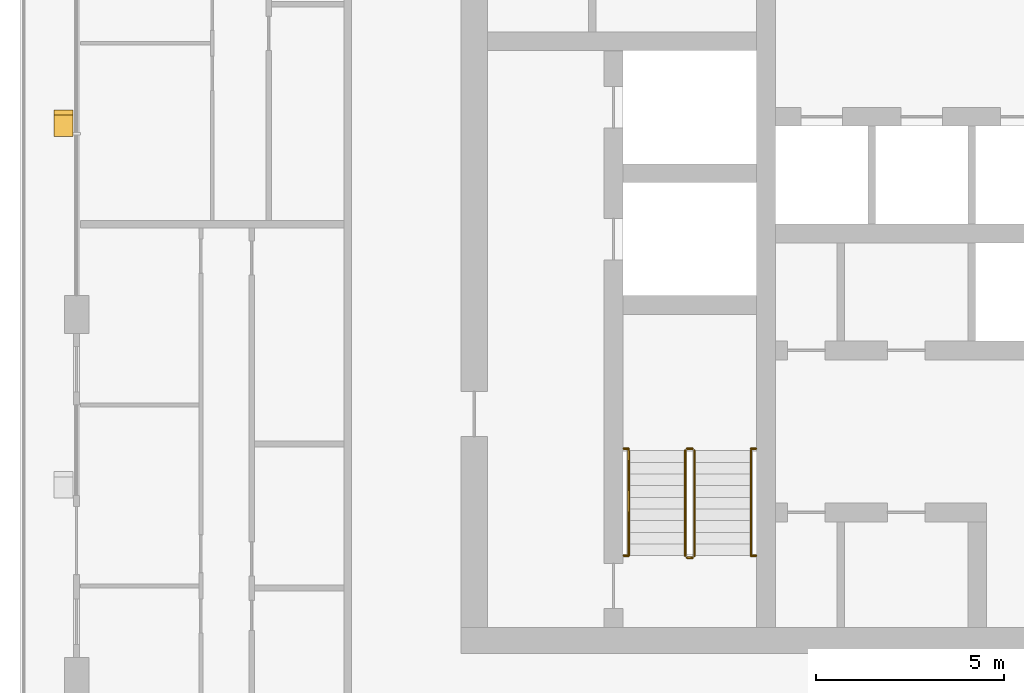
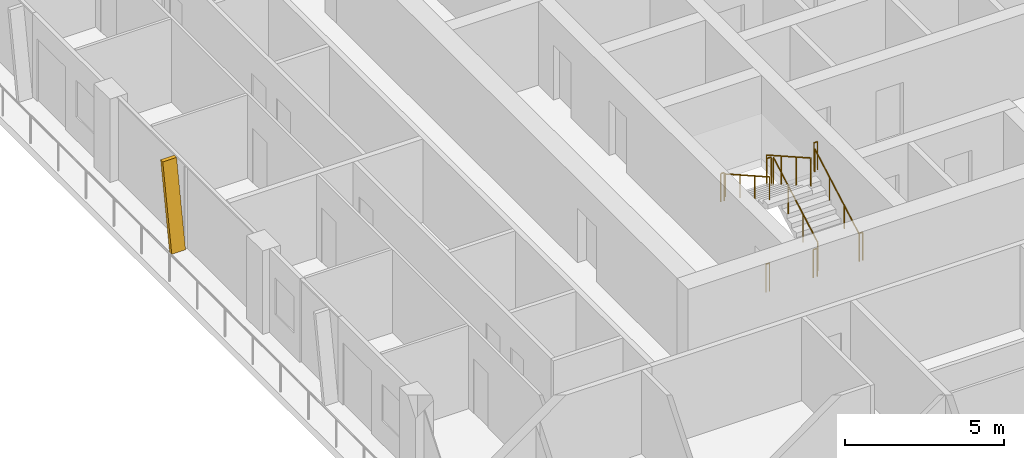
# One storey, part 18 of 22: 10 railings, 1 shading device.
"""IFC4 building model written with IfcOpenShell, lengths in metres."""

from ifc_helpers import new_model, si_unit, direction, frame, origin, origin_2d, place, context, subcontext, project, spatial, polyline, circle, outline, extrude, material, type_object, element, save


model = new_model("IFC4")

# Units and contexts
model_context = context("Model", 3, precision=1e-05, world=origin(), true_north=direction((0.0, 1.0)))
body_context = subcontext(model_context, "Body", "Model", "MODEL_VIEW")
ifc_project = project(units=[si_unit("LENGTHUNIT", "METRE"), si_unit("AREAUNIT", "SQUARE_METRE"), si_unit("VOLUMEUNIT", "CUBIC_METRE"), si_unit("PLANEANGLEUNIT", "RADIAN"), si_unit("MASSUNIT", "GRAM", prefix="KILO")], contexts=[model_context])

# Site, building, storey
site_placement = place(None, origin())
site = spatial("IfcSite", under=ifc_project, at=site_placement, CompositionType="ELEMENT")
building_placement = place(site_placement, origin())
building = spatial("IfcBuilding", under=site, at=building_placement, Name="Madar Terraces", CompositionType="ELEMENT")
storey_placement = place(building_placement, frame((0.0, 0.0, 189.39990234375)))
storey = spatial("IfcBuildingStorey", under=building, at=storey_placement, Name="L49", CompositionType="ELEMENT", Elevation=189.39990234375)

# Shading device
ifc_material_1 = material(Name="Aluminium, black anodised", Category="aluminium")
shading_device_type = type_object("IfcShadingDeviceType", Name="Facade fin blade 140 x 500", PredefinedType="USERDEFINED", material=ifc_material_1)
shading_device_placement = place(storey_placement, frame((4.449951171875, 28.8701171875, 0.0), z_axis=(0.0, 0.0, 1.0), x_axis=(0.0, -1.0, 0.0)))
element("IfcShadingDevice", 1, at=shading_device_placement, inside=storey, type_object=shading_device_type, Name="FIN L49 W2", ObjectType="FIN", PredefinedType="USERDEFINED", context=body_context, shape_type="SweptSolid", body=[
    extrude(outline(polyline([(0.0, 0.0), (0.14013671875, 0.0), (-0.42431640625, 3.2001953125), (-0.564208984375, 3.2001953125), (0.0, 0.0)])), frame((0.0, 0.25, 0.0), z_axis=(0.0, -1.0, 0.0), x_axis=(1.0, 0.0, 0.0)), (0.0, 0.0, 1.0), 0.5),
])

# Railings
ifc_material_2 = material(Name="Stainless steel railing", Category="steel")
railing_type_1 = type_object("IfcRailingType", Name="Stair guard 1100", PredefinedType="GUARDRAIL", material=ifc_material_2)
railing_1_placement = place(storey_placement, frame((21.199951171875, 17.60009765625, 0.175048828125)))
element("IfcRailing", 2, at=railing_1_placement, inside=storey, type_object=railing_type_1, Name="L49 ST1 stair guard 1", PredefinedType="GUARDRAIL", context=body_context, shape_type="SweptSolid", body=[
    extrude(circle(Radius=0.02392578125, at=origin_2d()), frame((0.0, 0.0, 1.076171875), z_axis=(0.0, 0.870815363784, 0.491610213684), x_axis=(-1.0, 0.0, 0.0)), (0.0, 0.0, 1.0), 3.20361328125),
    extrude(circle(Radius=0.02099609375, at=origin_2d()), origin(), (0.0, 0.0, 1.0), 1.052001953125),
    extrude(circle(Radius=0.02099609375, at=origin_2d()), frame((0.0, 0.929931640625, 0.52490234375)), (0.0, 0.0, 1.0), 1.052001953125),
    extrude(circle(Radius=0.02099609375, at=origin_2d()), frame((0.0, 1.85986328125, 1.050048828125)), (0.0, 0.0, 1.0), 1.052001953125),
    extrude(circle(Radius=0.02099609375, at=origin_2d()), frame((0.0, 2.789794921875, 1.574951171875)), (0.0, 0.0, 1.0), 1.052001953125),
])
railing_2_placement = place(storey_placement, frame((21.14990234375, 20.43994140625, 1.75)))
element("IfcRailing", 3, at=railing_2_placement, inside=storey, type_object=railing_type_1, Name="L49 ST1 stair guard 2", PredefinedType="GUARDRAIL", context=body_context, shape_type="SweptSolid", body=[
    extrude(circle(Radius=0.02392578125, at=origin_2d()), frame((0.0, 0.0, 1.076171875), z_axis=(-1.0, 0.0, 0.0), x_axis=(0.0, -1.0, 0.0)), (0.0, 0.0, 1.0), 0.14990234375),
    extrude(circle(Radius=0.02099609375, at=origin_2d()), origin(), (0.0, 0.0, 1.0), 1.052001953125),
    extrude(circle(Radius=0.02099609375, at=origin_2d()), frame((-0.14990234375, 0.0, 0.0)), (0.0, 0.0, 1.0), 1.052001953125),
])
railing_3_placement = place(storey_placement, frame((20.949951171875, 20.389892578125, 1.925048828125)))
element("IfcRailing", 4, at=railing_3_placement, inside=storey, type_object=railing_type_1, Name="L49 ST1 stair guard 3", PredefinedType="GUARDRAIL", context=body_context, shape_type="SweptSolid", body=[
    extrude(circle(Radius=0.02392578125, at=origin_2d()), frame((0.0, 0.0, 1.076171875), z_axis=(0.0, -0.870815363784, 0.491610213684), x_axis=(1.0, 0.0, 0.0)), (0.0, 0.0, 1.0), 3.20361328125),
    extrude(circle(Radius=0.02099609375, at=origin_2d()), origin(), (0.0, 0.0, 1.0), 1.052001953125),
    extrude(circle(Radius=0.02099609375, at=origin_2d()), frame((0.0, -0.929931640625, 0.52490234375)), (0.0, 0.0, 1.0), 1.052001953125),
    extrude(circle(Radius=0.02099609375, at=origin_2d()), frame((0.0, -1.85986328125, 1.050048828125)), (0.0, 0.0, 1.0), 1.052001953125),
    extrude(circle(Radius=0.02099609375, at=origin_2d()), frame((0.0, -2.789794921875, 1.574951171875)), (0.0, 0.0, 1.0), 1.052001953125),
])
railing_4_placement = place(storey_placement, frame((21.14990234375, 17.550048828125, 0.0)))
element("IfcRailing", 5, at=railing_4_placement, inside=storey, type_object=railing_type_1, Name="L49 ST1 stair guard 4", PredefinedType="GUARDRAIL", context=body_context, shape_type="SweptSolid", body=[
    extrude(circle(Radius=0.02392578125, at=origin_2d()), frame((0.0, 0.0, 1.076171875), z_axis=(-1.0, 0.0, 0.0), x_axis=(0.0, -1.0, 0.0)), (0.0, 0.0, 1.0), 0.14990234375),
    extrude(circle(Radius=0.02099609375, at=origin_2d()), origin(), (0.0, 0.0, 1.0), 1.052001953125),
    extrude(circle(Radius=0.02099609375, at=origin_2d()), frame((-0.14990234375, 0.0, 0.0)), (0.0, 0.0, 1.0), 1.052001953125),
])
railing_5_placement = place(storey_placement, frame((19.320068359375, 20.43994140625, 1.75)))
element("IfcRailing", 6, at=railing_5_placement, inside=storey, type_object=railing_type_1, Name="L49 stair guard seat 1", PredefinedType="GUARDRAIL", context=body_context, shape_type="SweptSolid", body=[
    extrude(circle(Radius=0.02392578125, at=origin_2d()), frame((0.0, 0.0, 1.076171875), z_axis=(1.0, 0.0, 0.0), x_axis=(0.0, 1.0, 0.0)), (0.0, 0.0, 1.0), 0.1298828125),
    extrude(circle(Radius=0.02099609375, at=origin_2d()), origin(), (0.0, 0.0, 1.0), 1.052001953125),
    extrude(circle(Radius=0.02099609375, at=origin_2d()), frame((0.1298828125, 0.0, 0.0)), (0.0, 0.0, 1.0), 1.052001953125),
])
railing_6_placement = place(storey_placement, frame((22.699951171875, 20.43994140625, 1.75)))
element("IfcRailing", 7, at=railing_6_placement, inside=storey, type_object=railing_type_1, Name="L49 stair guard seat 2", PredefinedType="GUARDRAIL", context=body_context, shape_type="SweptSolid", body=[
    extrude(circle(Radius=0.02392578125, at=origin_2d()), frame((0.0, 0.0, 1.076171875), z_axis=(1.0, 0.0, 0.0), x_axis=(0.0, 1.0, 0.0)), (0.0, 0.0, 1.0), 0.130126953125),
    extrude(circle(Radius=0.02099609375, at=origin_2d()), origin(), (0.0, 0.0, 1.0), 1.052001953125),
    extrude(circle(Radius=0.02099609375, at=origin_2d()), frame((0.130126953125, 0.0, 0.0)), (0.0, 0.0, 1.0), 1.052001953125),
])
railing_7_placement = place(storey_placement, frame((19.320068359375, 17.60009765625, 0.0)))
element("IfcRailing", 8, at=railing_7_placement, inside=storey, type_object=railing_type_1, Name="L49 stair guard floor 1", PredefinedType="GUARDRAIL", context=body_context, shape_type="SweptSolid", body=[
    extrude(circle(Radius=0.02392578125, at=origin_2d()), frame((0.0, 0.0, 1.076171875), z_axis=(1.0, 0.0, 0.0), x_axis=(0.0, 1.0, 0.0)), (0.0, 0.0, 1.0), 0.1298828125),
    extrude(circle(Radius=0.02099609375, at=origin_2d()), origin(), (0.0, 0.0, 1.0), 1.052001953125),
    extrude(circle(Radius=0.02099609375, at=origin_2d()), frame((0.1298828125, 0.0, 0.0)), (0.0, 0.0, 1.0), 1.052001953125),
])
railing_8_placement = place(storey_placement, frame((22.699951171875, 17.60009765625, 0.0)))
element("IfcRailing", 9, at=railing_8_placement, inside=storey, type_object=railing_type_1, Name="L49 stair guard floor 2", PredefinedType="GUARDRAIL", context=body_context, shape_type="SweptSolid", body=[
    extrude(circle(Radius=0.02392578125, at=origin_2d()), frame((0.0, 0.0, 1.076171875), z_axis=(1.0, 0.0, 0.0), x_axis=(0.0, 1.0, 0.0)), (0.0, 0.0, 1.0), 0.130126953125),
    extrude(circle(Radius=0.02099609375, at=origin_2d()), origin(), (0.0, 0.0, 1.0), 1.052001953125),
    extrude(circle(Radius=0.02099609375, at=origin_2d()), frame((0.130126953125, 0.0, 0.0)), (0.0, 0.0, 1.0), 1.052001953125),
])
ifc_material_3 = material(Name="Stainless steel railing", Category="steel")
railing_type_2 = type_object("IfcRailingType", Name="Stair handrail 900", PredefinedType="HANDRAIL", material=ifc_material_3)
railing_9_placement = place(storey_placement, frame((22.699951171875, 17.60009765625, 0.175048828125)))
element("IfcRailing", 10, at=railing_9_placement, inside=storey, type_object=railing_type_2, Name="L49 ST1 stair handrail 1", PredefinedType="HANDRAIL", context=body_context, shape_type="SweptSolid", body=[
    extrude(circle(Radius=0.02392578125, at=origin_2d()), frame((0.0, 0.0, 0.8759765625), z_axis=(0.0, 0.870815363784, 0.491610213684), x_axis=(-1.0, 0.0, 0.0)), (0.0, 0.0, 1.0), 3.20361328125),
    extrude(circle(Radius=0.02099609375, at=origin_2d()), origin(), (0.0, 0.0, 1.0), 0.851806640625),
    extrude(circle(Radius=0.02099609375, at=origin_2d()), frame((0.0, 0.929931640625, 0.52490234375)), (0.0, 0.0, 1.0), 0.851806640625),
    extrude(circle(Radius=0.02099609375, at=origin_2d()), frame((0.0, 1.85986328125, 1.050048828125)), (0.0, 0.0, 1.0), 0.851806640625),
    extrude(circle(Radius=0.02099609375, at=origin_2d()), frame((0.0, 2.789794921875, 1.574951171875)), (0.0, 0.0, 1.0), 0.851806640625),
])
railing_10_placement = place(storey_placement, frame((19.449951171875, 20.389892578125, 1.925048828125)))
element("IfcRailing", 11, at=railing_10_placement, inside=storey, type_object=railing_type_2, Name="L49 ST1 stair handrail 2", PredefinedType="HANDRAIL", context=body_context, shape_type="SweptSolid", body=[
    extrude(circle(Radius=0.02392578125, at=origin_2d()), frame((0.0, 0.0, 0.8759765625), z_axis=(0.0, -0.870815363784, 0.491610213684), x_axis=(1.0, 0.0, 0.0)), (0.0, 0.0, 1.0), 3.20361328125),
    extrude(circle(Radius=0.02099609375, at=origin_2d()), origin(), (0.0, 0.0, 1.0), 0.851806640625),
    extrude(circle(Radius=0.02099609375, at=origin_2d()), frame((0.0, -0.929931640625, 0.52490234375)), (0.0, 0.0, 1.0), 0.851806640625),
    extrude(circle(Radius=0.02099609375, at=origin_2d()), frame((0.0, -1.85986328125, 1.050048828125)), (0.0, 0.0, 1.0), 0.851806640625),
    extrude(circle(Radius=0.02099609375, at=origin_2d()), frame((0.0, -2.789794921875, 1.574951171875)), (0.0, 0.0, 1.0), 0.851806640625),
])

save(model, "model.ifc")
